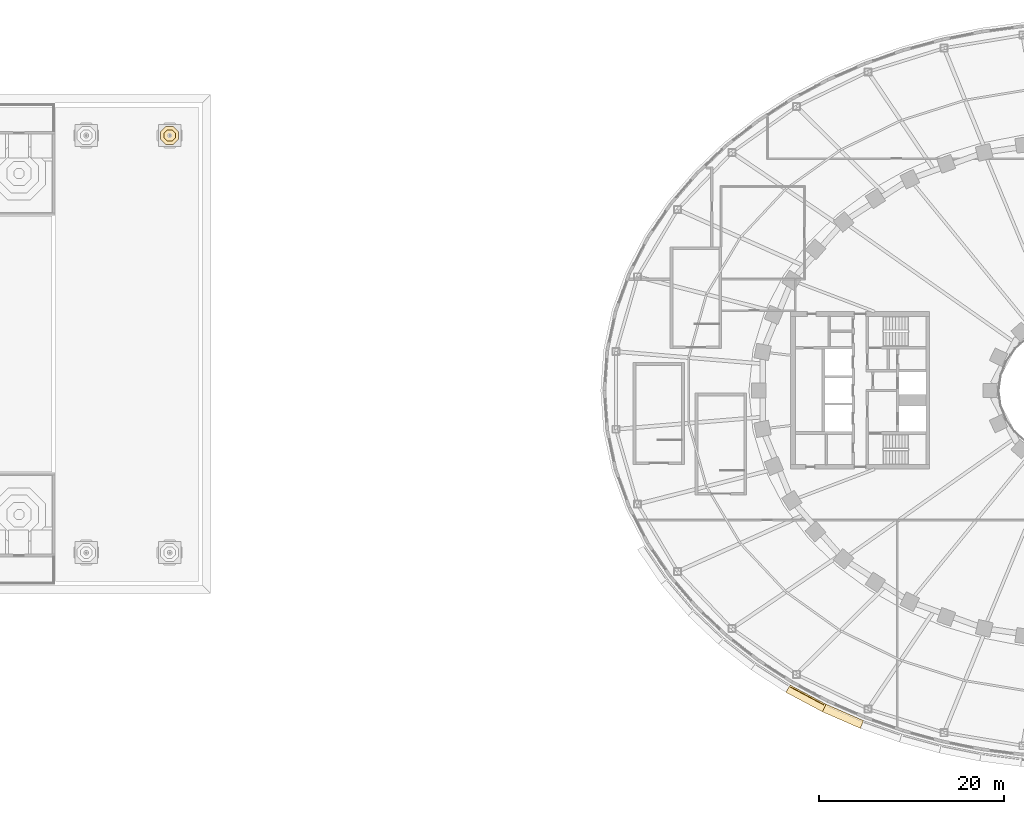
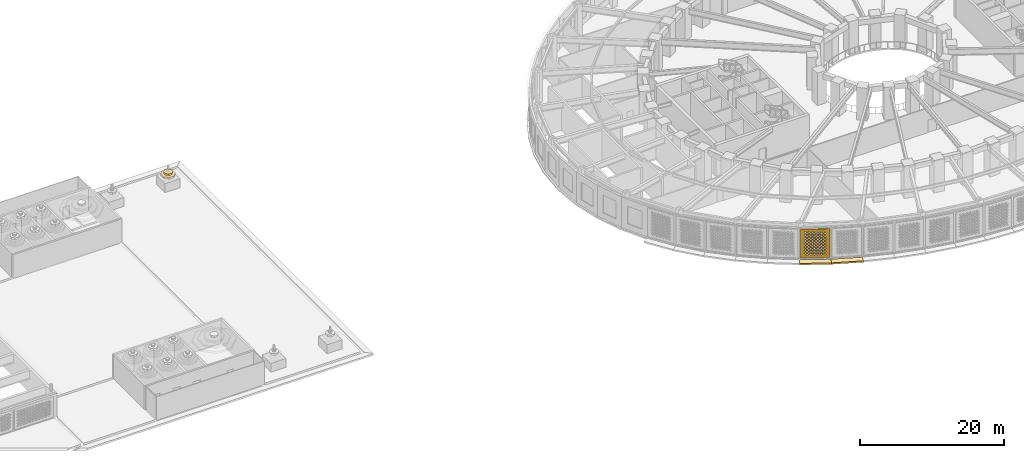
# One storey, part 40 of 63: 5 coverings.
"""IFC4 building model written with IfcOpenShell, lengths in metres."""

import ifcopenshell
import ifcopenshell.guid

model = None  # the IFC model being written
_history = None  # IfcOwnerHistory: only IFC2X3 demands one
_inside = {}  # id of a spatial element -> (the spatial element, [elements in it])
_under = {}  # id of a project, library or spatial element -> (it, [spatial elements below it])
_declared = {}  # id of a project -> (the project, [libraries it declares])
_typed = {}  # id of a type object -> (the type object, [elements of that type])
_made_of = {}  # id of a material, layer set ... -> (it, [elements and type objects made of it])


def new_model(schema):
    """Start an empty IFC model of exactly this schema.

    Asked for "IFC4X3", IfcOpenShell would pick the latest addendum, in which some entities
    have other attributes; the version numbers below select the first issue.
    IFC2X3 requires an IfcOwnerHistory on every rooted entity: one is made here for all.
    """
    global model, _history
    if schema == "IFC4X3":
        model = ifcopenshell.file(schema_version=(4, 3, 0, 0))
    else:
        model = ifcopenshell.file(schema=schema)
    _inside.clear()
    _under.clear()
    _declared.clear()
    _typed.clear()
    _made_of.clear()
    _history = None
    if model.schema == "IFC2X3":
        org = make("IfcOrganization", Name="unknown")
        user = make(
            "IfcPersonAndOrganization",
            ThePerson=make("IfcPerson", FamilyName="unknown"),
            TheOrganization=org,
        )
        app = make(
            "IfcApplication",
            ApplicationDeveloper=org,
            Version="unknown",
            ApplicationFullName="unknown",
            ApplicationIdentifier="unknown",
        )
        _history = make(
            "IfcOwnerHistory",
            OwningUser=user,
            OwningApplication=app,
            ChangeAction="ADDED",
            CreationDate=0,
        )
    return model


def make(cls, **values):
    """One entity of the class cls with the attributes given. An attribute that is None is left unset."""
    return model.create_entity(
        cls, **{name: value for name, value in values.items() if value is not None}
    )


def rooted(cls, **values):
    """An entity with a GlobalId (a new one), such as an element, a storey or a relation."""
    return make(cls, GlobalId=ifcopenshell.guid.new(), OwnerHistory=_history, **values)


def si_unit(unit_type, name, prefix=None):
    """IfcSIUnit, for example si_unit("LENGTHUNIT", "METRE", prefix="MILLI")."""
    return make("IfcSIUnit", UnitType=unit_type, Prefix=prefix, Name=name)


def assignment(units):
    """IfcUnitAssignment: the units of a project."""
    return None if units is None else make("IfcUnitAssignment", Units=units)


def point(xyz):
    """IfcCartesianPoint."""
    return None if xyz is None else make("IfcCartesianPoint", Coordinates=xyz)


def direction(xyz):
    """IfcDirection."""
    return None if xyz is None else make("IfcDirection", DirectionRatios=xyz)


def frame(location, z_axis=None, x_axis=None):
    """IfcAxis2Placement3D, a coordinate frame: its origin and axes. An axis left out is left unset."""
    return make(
        "IfcAxis2Placement3D",
        Location=point(location),
        Axis=direction(z_axis),
        RefDirection=direction(x_axis),
    )


def origin():
    """The frame at (0, 0, 0) with its axes left unset."""
    return frame((0.0, 0.0, 0.0))


def place(relative_to, where):
    """IfcLocalPlacement: puts the frame where relative to a parent placement (None: the world)."""
    return make(
        "IfcLocalPlacement", PlacementRelTo=relative_to, RelativePlacement=where
    )


def context(
    kind, dimensions, precision=None, world=None, true_north=None, identifier=None
):
    """IfcGeometricRepresentationContext, for example the 3D "Model" context."""
    return make(
        "IfcGeometricRepresentationContext",
        ContextIdentifier=identifier,
        ContextType=kind,
        CoordinateSpaceDimension=dimensions,
        Precision=precision,
        WorldCoordinateSystem=world,
        TrueNorth=true_north,
    )


def subcontext(parent, identifier, kind, view, scale=None):
    """IfcGeometricRepresentationSubContext, for example "Body" below "Model"."""
    return make(
        "IfcGeometricRepresentationSubContext",
        ContextIdentifier=identifier,
        ContextType=kind,
        ParentContext=parent,
        TargetScale=scale,
        TargetView=view,
    )


def project(units=None, contexts=None):
    """IfcProject with its units and contexts."""
    return rooted(
        "IfcProject",
        Name="project",
        RepresentationContexts=contexts,
        UnitsInContext=assignment(units),
    )


def spatial(cls, under=None, at=None, **own):
    """A site, building, storey or space (cls), placed at a placement, below another one or the project."""
    s = rooted(cls, ObjectPlacement=at, **own)
    if under is not None:
        _under.setdefault(under.id(), (under, []))[1].append(s)
    return s


def polyline(points):
    """IfcPolyline through the points."""
    return make("IfcPolyline", Points=[point(p) for p in points])


def outline(outer, holes=None, kind="AREA"):
    """IfcArbitraryClosedProfileDef: a profile drawn as a closed curve; with holes, ...WithVoids."""
    if holes is None:
        return make("IfcArbitraryClosedProfileDef", ProfileType=kind, OuterCurve=outer)
    return make(
        "IfcArbitraryProfileDefWithVoids",
        ProfileType=kind,
        OuterCurve=outer,
        InnerCurves=holes,
    )


def extrude(swept, where, along, depth):
    """IfcExtrudedAreaSolid: the profile swept, set in the frame where, extruded along a direction by depth."""
    return make(
        "IfcExtrudedAreaSolid",
        SweptArea=swept,
        Position=where,
        ExtrudedDirection=direction(along),
        Depth=depth,
    )


def shape(context_of_items, identifier, shape_type, items):
    """IfcShapeRepresentation: the items that make up one representation, for example the "Body"."""
    return make(
        "IfcShapeRepresentation",
        ContextOfItems=context_of_items,
        RepresentationIdentifier=identifier,
        RepresentationType=shape_type,
        Items=items,
    )


def material(Name=None, Category=None):
    """IfcMaterial."""
    return make("IfcMaterial", Name=Name, Category=Category)


def layer(
    of_material, thickness, ventilated=None, Name=None, Category=None, Priority=None
):
    """IfcMaterialLayer: one layer of a wall or slab, of a material (None: an air gap)."""
    return make(
        "IfcMaterialLayer",
        Material=of_material,
        LayerThickness=thickness,
        IsVentilated=ventilated,
        Name=Name,
        Category=Category,
        Priority=Priority,
    )


def layer_set(layers, Name=None):
    """IfcMaterialLayerSet."""
    return make("IfcMaterialLayerSet", MaterialLayers=layers, LayerSetName=Name)


def made_of(thing, what):
    """Note that an element or type object is made of a material, layer set ...; save() writes the relation."""
    if what is not None:
        _made_of.setdefault(what.id(), (what, []))[1].append(thing)
    return thing


def type_object(cls, material=None, **own):
    """A type object (cls), such as IfcWallType, which elements share."""
    return made_of(rooted(cls, **own), material)


def element(
    cls,
    number,
    at=None,
    inside=None,
    cuts=None,
    type_object=None,
    material=None,
    context=None,
    identifier="Body",
    shape_type=None,
    held_by="IfcProductDefinitionShape",
    body=None,
    shapes=None,
    **own,
):
    """One element of the class cls, such as IfcWall. Its Tag is "e" and its number.

    at: its placement. inside: the storey or other place that contains it. cuts: it is an
    opening in that element (IfcRelVoidsElement). A single representation is given by context,
    identifier, shape_type and body (its items); several are given by shapes. held_by: the class
    of the entity that holds the representations. save() writes the other relations.
    """
    e = rooted(cls, Tag="e%d" % number, ObjectPlacement=at, **own)
    if body is not None:
        shapes = [shape(context, identifier, shape_type, body)]
    if shapes is not None:
        e.Representation = make(held_by, Representations=shapes)
    if inside is not None:
        _inside.setdefault(inside.id(), (inside, []))[1].append(e)
    if cuts is not None:
        rooted(
            "IfcRelVoidsElement", RelatingBuildingElement=cuts, RelatedOpeningElement=e
        )
    if type_object is not None:
        _typed.setdefault(type_object.id(), (type_object, []))[1].append(e)
    return made_of(e, material)


def aggregate(whole, parts):
    """IfcRelAggregates: a whole, such as a stair, and the parts it consists of."""
    return rooted("IfcRelAggregates", RelatingObject=whole, RelatedObjects=parts)


def save(model, path):
    """Write the relations noted so far, then the file.

    IfcRelAggregates (storeys below a building ...), IfcRelContainedInSpatialStructure (elements
    in a storey), IfcRelDefinesByType, IfcRelAssociatesMaterial and IfcRelDeclares: one each for
    every whole, place, type object, material and project.
    """
    for whole, parts in _under.values():
        aggregate(whole, parts)
    for where, things in _inside.values():
        rooted(
            "IfcRelContainedInSpatialStructure",
            RelatedElements=things,
            RelatingStructure=where,
        )
    for kind, things in _typed.values():
        rooted("IfcRelDefinesByType", RelatedObjects=things, RelatingType=kind)
    for what, things in _made_of.values():
        rooted("IfcRelAssociatesMaterial", RelatedObjects=things, RelatingMaterial=what)
    for by, libraries in _declared.values():
        rooted("IfcRelDeclares", RelatingContext=by, RelatedDefinitions=libraries)
    model.write(path)


model = new_model("IFC4")

# Units and contexts
model_context = context("Model", 3, precision=1e-05, world=origin(), true_north=direction((0.0, 1.0)))
body_context = subcontext(model_context, "Body", "Model", "MODEL_VIEW")
ifc_project = project(units=[si_unit("LENGTHUNIT", "METRE"), si_unit("AREAUNIT", "SQUARE_METRE"), si_unit("VOLUMEUNIT", "CUBIC_METRE"), si_unit("PLANEANGLEUNIT", "RADIAN"), si_unit("MASSUNIT", "GRAM", prefix="KILO")], contexts=[model_context])

# Site, building, storey
site_placement = place(None, origin())
site = spatial("IfcSite", under=ifc_project, at=site_placement, CompositionType="ELEMENT")
building_placement = place(site_placement, origin())
building = spatial("IfcBuilding", under=site, at=building_placement, Name="Noorbagh Ring Tower", CompositionType="ELEMENT")
storey_placement = place(building_placement, frame((0.0, 0.0, 25.0)))
storey = spatial("IfcBuildingStorey", under=building, at=storey_placement, Name="L04", CompositionType="ELEMENT", Elevation=25.0)

# Coverings
ifc_material_1 = material(Name="Cream sandstone dome cladding", Category="masonry")
ifc_layer_1 = layer(ifc_material_1, 0.300048828125)
ifc_layer_set_1 = layer_set([ifc_layer_1], Name="Cream sandstone dome cladding")
covering_type_1 = type_object("IfcCoveringType", Name="STH-DOME", PredefinedType="ROOFING", material=ifc_layer_set_1)
covering_1_placement = place(storey_placement, frame((0.0, 0.0, 1.820068359375)))
element("IfcCovering", 1, at=covering_1_placement, inside=storey, type_object=covering_type_1, Name="Dome over the stair head", PredefinedType="ROOFING", context=body_context, shape_type="SweptSolid", body=[
    extrude(outline(polyline([(-97.522216796875, 27.905029296875), (-98.094970703125, 28.477783203125), (-98.905029296875, 28.477783203125), (-99.477783203125, 27.905029296875), (-99.477783203125, 27.094970703125), (-98.905029296875, 26.522216796875), (-98.094970703125, 26.522216796875), (-97.522216796875, 27.094970703125), (-97.522216796875, 27.905029296875)])), origin(), (0.0, 0.0, 1.0), 0.31982421875),
])
covering_2_placement = place(storey_placement, frame((0.0, 0.0, 2.139892578125)))
element("IfcCovering", 2, at=covering_2_placement, inside=storey, type_object=covering_type_1, Name="Dome over the stair head", PredefinedType="ROOFING", context=body_context, shape_type="SweptSolid", body=[
    extrude(outline(polyline([(-97.8837890625, 27.755126953125), (-98.244873046875, 28.1162109375), (-98.755126953125, 28.1162109375), (-99.1162109375, 27.755126953125), (-99.1162109375, 27.244873046875), (-98.755126953125, 26.8837890625), (-98.244873046875, 26.8837890625), (-97.8837890625, 27.244873046875), (-97.8837890625, 27.755126953125)])), origin(), (0.0, 0.0, 1.0), 0.320068359375),
])
ifc_material_2 = material(Name="Red sandstone eave", Category="masonry")
covering_type_2 = type_object("IfcCoveringType", Name="STY-CHHAJJA", PredefinedType="USERDEFINED", material=ifc_material_2)
covering_3_placement = place(storey_placement, frame((0.0, 0.0, -0.25)))
element("IfcCovering", 3, at=covering_3_placement, inside=storey, type_object=covering_type_2, Name="Chhajja eave", ObjectType="CHHAJJA", PredefinedType="USERDEFINED", context=body_context, shape_type="SweptSolid", body=[
    extrude(outline(polyline([(-31.5546875, -31.793701171875), (-27.67578125, -33.864013671875), (-28.068603515625, -34.674560546875), (-32.011474609375, -32.56982421875), (-31.5546875, -31.793701171875)])), origin(), (0.0, 0.0, 1.0), 0.25),
])
covering_4_placement = place(storey_placement, frame((0.0, 0.0, -0.25)))
element("IfcCovering", 4, at=covering_4_placement, inside=storey, type_object=covering_type_2, Name="Chhajja eave", ObjectType="CHHAJJA", PredefinedType="USERDEFINED", context=body_context, shape_type="SweptSolid", body=[
    extrude(outline(polyline([(-27.67578125, -33.864013671875), (-23.647216796875, -35.624755859375), (-23.976806640625, -36.462890625), (-28.068603515625, -34.674560546875), (-27.67578125, -33.864013671875)])), origin(), (0.0, 0.0, 1.0), 0.25),
])
ifc_material_3 = material(Name="Red sandstone jali", Category="masonry")
ifc_layer_2 = layer(ifc_material_3, 0.0400390625)
ifc_layer_set_2 = layer_set([ifc_layer_2], Name="Red sandstone jali")
covering_type_3 = type_object("IfcCoveringType", Name="STY-JALI", PredefinedType="USERDEFINED", material=ifc_layer_set_2)
covering_5_placement = place(storey_placement, frame((-31.51171875, -32.031982421875, 0.449951171875), z_axis=(-0.470869695201, -0.882202771556, 0.0), x_axis=(0.882202771556, -0.470869695201, 0.0)))
element("IfcCovering", 5, at=covering_5_placement, inside=storey, type_object=covering_type_3, Name="Jali screen", ObjectType="SCREEN", PredefinedType="USERDEFINED", context=body_context, shape_type="SweptSolid", body=[
    extrude(outline(polyline([(0.0, 0.0), (4.0966796875, 0.0), (4.0966796875, 4.85009765625), (0.0, 4.85009765625), (0.0, 0.0)]), holes=[polyline([(0.743408203125, 0.550048828125), (0.92333984375, 0.3701171875), (1.103271484375, 0.550048828125), (0.92333984375, 0.72998046875), (0.743408203125, 0.550048828125)]), polyline([(1.243408203125, 0.550048828125), (1.42333984375, 0.3701171875), (1.603271484375, 0.550048828125), (1.42333984375, 0.72998046875), (1.243408203125, 0.550048828125)]), polyline([(1.743408203125, 0.550048828125), (1.92333984375, 0.3701171875), (2.103271484375, 0.550048828125), (1.92333984375, 0.72998046875), (1.743408203125, 0.550048828125)]), polyline([(2.243408203125, 0.550048828125), (2.42333984375, 0.3701171875), (2.603271484375, 0.550048828125), (2.42333984375, 0.72998046875), (2.243408203125, 0.550048828125)]), polyline([(2.743408203125, 0.550048828125), (2.92333984375, 0.3701171875), (3.103271484375, 0.550048828125), (2.92333984375, 0.72998046875), (2.743408203125, 0.550048828125)]), polyline([(3.243408203125, 0.550048828125), (3.42333984375, 0.3701171875), (3.603271484375, 0.550048828125), (3.42333984375, 0.72998046875), (3.243408203125, 0.550048828125)]), polyline([(0.493408203125, 0.800048828125), (0.67333984375, 0.6201171875), (0.853271484375, 0.800048828125), (0.67333984375, 0.97998046875), (0.493408203125, 0.800048828125)]), polyline([(0.993408203125, 0.800048828125), (1.17333984375, 0.6201171875), (1.353271484375, 0.800048828125), (1.17333984375, 0.97998046875), (0.993408203125, 0.800048828125)]), polyline([(1.493408203125, 0.800048828125), (1.67333984375, 0.6201171875), (1.853271484375, 0.800048828125), (1.67333984375, 0.97998046875), (1.493408203125, 0.800048828125)]), polyline([(1.993408203125, 0.800048828125), (2.17333984375, 0.6201171875), (2.353271484375, 0.800048828125), (2.17333984375, 0.97998046875), (1.993408203125, 0.800048828125)]), polyline([(2.493408203125, 0.800048828125), (2.67333984375, 0.6201171875), (2.853271484375, 0.800048828125), (2.67333984375, 0.97998046875), (2.493408203125, 0.800048828125)]), polyline([(2.993408203125, 0.800048828125), (3.17333984375, 0.6201171875), (3.353271484375, 0.800048828125), (3.17333984375, 0.97998046875), (2.993408203125, 0.800048828125)]), polyline([(0.743408203125, 1.050048828125), (0.92333984375, 0.8701171875), (1.103271484375, 1.050048828125), (0.92333984375, 1.22998046875), (0.743408203125, 1.050048828125)]), polyline([(1.243408203125, 1.050048828125), (1.42333984375, 0.8701171875), (1.603271484375, 1.050048828125), (1.42333984375, 1.22998046875), (1.243408203125, 1.050048828125)]), polyline([(1.743408203125, 1.050048828125), (1.92333984375, 0.8701171875), (2.103271484375, 1.050048828125), (1.92333984375, 1.22998046875), (1.743408203125, 1.050048828125)]), polyline([(2.243408203125, 1.050048828125), (2.42333984375, 0.8701171875), (2.603271484375, 1.050048828125), (2.42333984375, 1.22998046875), (2.243408203125, 1.050048828125)]), polyline([(2.743408203125, 1.050048828125), (2.92333984375, 0.8701171875), (3.103271484375, 1.050048828125), (2.92333984375, 1.22998046875), (2.743408203125, 1.050048828125)]), polyline([(3.243408203125, 1.050048828125), (3.42333984375, 0.8701171875), (3.603271484375, 1.050048828125), (3.42333984375, 1.22998046875), (3.243408203125, 1.050048828125)]), polyline([(0.493408203125, 1.300048828125), (0.67333984375, 1.1201171875), (0.853271484375, 1.300048828125), (0.67333984375, 1.47998046875), (0.493408203125, 1.300048828125)]), polyline([(0.993408203125, 1.300048828125), (1.17333984375, 1.1201171875), (1.353271484375, 1.300048828125), (1.17333984375, 1.47998046875), (0.993408203125, 1.300048828125)]), polyline([(1.493408203125, 1.300048828125), (1.67333984375, 1.1201171875), (1.853271484375, 1.300048828125), (1.67333984375, 1.47998046875), (1.493408203125, 1.300048828125)]), polyline([(1.993408203125, 1.300048828125), (2.17333984375, 1.1201171875), (2.353271484375, 1.300048828125), (2.17333984375, 1.47998046875), (1.993408203125, 1.300048828125)]), polyline([(2.493408203125, 1.300048828125), (2.67333984375, 1.1201171875), (2.853271484375, 1.300048828125), (2.67333984375, 1.47998046875), (2.493408203125, 1.300048828125)]), polyline([(2.993408203125, 1.300048828125), (3.17333984375, 1.1201171875), (3.353271484375, 1.300048828125), (3.17333984375, 1.47998046875), (2.993408203125, 1.300048828125)]), polyline([(0.743408203125, 1.550048828125), (0.92333984375, 1.3701171875), (1.103271484375, 1.550048828125), (0.92333984375, 1.72998046875), (0.743408203125, 1.550048828125)]), polyline([(1.243408203125, 1.550048828125), (1.42333984375, 1.3701171875), (1.603271484375, 1.550048828125), (1.42333984375, 1.72998046875), (1.243408203125, 1.550048828125)]), polyline([(1.743408203125, 1.550048828125), (1.92333984375, 1.3701171875), (2.103271484375, 1.550048828125), (1.92333984375, 1.72998046875), (1.743408203125, 1.550048828125)]), polyline([(2.243408203125, 1.550048828125), (2.42333984375, 1.3701171875), (2.603271484375, 1.550048828125), (2.42333984375, 1.72998046875), (2.243408203125, 1.550048828125)]), polyline([(2.743408203125, 1.550048828125), (2.92333984375, 1.3701171875), (3.103271484375, 1.550048828125), (2.92333984375, 1.72998046875), (2.743408203125, 1.550048828125)]), polyline([(3.243408203125, 1.550048828125), (3.42333984375, 1.3701171875), (3.603271484375, 1.550048828125), (3.42333984375, 1.72998046875), (3.243408203125, 1.550048828125)]), polyline([(0.493408203125, 1.800048828125), (0.67333984375, 1.6201171875), (0.853271484375, 1.800048828125), (0.67333984375, 1.97998046875), (0.493408203125, 1.800048828125)]), polyline([(0.993408203125, 1.800048828125), (1.17333984375, 1.6201171875), (1.353271484375, 1.800048828125), (1.17333984375, 1.97998046875), (0.993408203125, 1.800048828125)]), polyline([(1.493408203125, 1.800048828125), (1.67333984375, 1.6201171875), (1.853271484375, 1.800048828125), (1.67333984375, 1.97998046875), (1.493408203125, 1.800048828125)]), polyline([(1.993408203125, 1.800048828125), (2.17333984375, 1.6201171875), (2.353271484375, 1.800048828125), (2.17333984375, 1.97998046875), (1.993408203125, 1.800048828125)]), polyline([(2.493408203125, 1.800048828125), (2.67333984375, 1.6201171875), (2.853271484375, 1.800048828125), (2.67333984375, 1.97998046875), (2.493408203125, 1.800048828125)]), polyline([(2.993408203125, 1.800048828125), (3.17333984375, 1.6201171875), (3.353271484375, 1.800048828125), (3.17333984375, 1.97998046875), (2.993408203125, 1.800048828125)]), polyline([(0.743408203125, 2.050048828125), (0.92333984375, 1.8701171875), (1.103271484375, 2.050048828125), (0.92333984375, 2.22998046875), (0.743408203125, 2.050048828125)]), polyline([(1.243408203125, 2.050048828125), (1.42333984375, 1.8701171875), (1.603271484375, 2.050048828125), (1.42333984375, 2.22998046875), (1.243408203125, 2.050048828125)]), polyline([(1.743408203125, 2.050048828125), (1.92333984375, 1.8701171875), (2.103271484375, 2.050048828125), (1.92333984375, 2.22998046875), (1.743408203125, 2.050048828125)]), polyline([(2.243408203125, 2.050048828125), (2.42333984375, 1.8701171875), (2.603271484375, 2.050048828125), (2.42333984375, 2.22998046875), (2.243408203125, 2.050048828125)]), polyline([(2.743408203125, 2.050048828125), (2.92333984375, 1.8701171875), (3.103271484375, 2.050048828125), (2.92333984375, 2.22998046875), (2.743408203125, 2.050048828125)]), polyline([(3.243408203125, 2.050048828125), (3.42333984375, 1.8701171875), (3.603271484375, 2.050048828125), (3.42333984375, 2.22998046875), (3.243408203125, 2.050048828125)]), polyline([(0.493408203125, 2.300048828125), (0.67333984375, 2.1201171875), (0.853271484375, 2.300048828125), (0.67333984375, 2.47998046875), (0.493408203125, 2.300048828125)]), polyline([(0.993408203125, 2.300048828125), (1.17333984375, 2.1201171875), (1.353271484375, 2.300048828125), (1.17333984375, 2.47998046875), (0.993408203125, 2.300048828125)]), polyline([(1.493408203125, 2.300048828125), (1.67333984375, 2.1201171875), (1.853271484375, 2.300048828125), (1.67333984375, 2.47998046875), (1.493408203125, 2.300048828125)]), polyline([(1.993408203125, 2.300048828125), (2.17333984375, 2.1201171875), (2.353271484375, 2.300048828125), (2.17333984375, 2.47998046875), (1.993408203125, 2.300048828125)]), polyline([(2.493408203125, 2.300048828125), (2.67333984375, 2.1201171875), (2.853271484375, 2.300048828125), (2.67333984375, 2.47998046875), (2.493408203125, 2.300048828125)]), polyline([(2.993408203125, 2.300048828125), (3.17333984375, 2.1201171875), (3.353271484375, 2.300048828125), (3.17333984375, 2.47998046875), (2.993408203125, 2.300048828125)]), polyline([(0.743408203125, 2.550048828125), (0.92333984375, 2.3701171875), (1.103271484375, 2.550048828125), (0.92333984375, 2.72998046875), (0.743408203125, 2.550048828125)]), polyline([(1.243408203125, 2.550048828125), (1.42333984375, 2.3701171875), (1.603271484375, 2.550048828125), (1.42333984375, 2.72998046875), (1.243408203125, 2.550048828125)]), polyline([(1.743408203125, 2.550048828125), (1.92333984375, 2.3701171875), (2.103271484375, 2.550048828125), (1.92333984375, 2.72998046875), (1.743408203125, 2.550048828125)]), polyline([(2.243408203125, 2.550048828125), (2.42333984375, 2.3701171875), (2.603271484375, 2.550048828125), (2.42333984375, 2.72998046875), (2.243408203125, 2.550048828125)]), polyline([(2.743408203125, 2.550048828125), (2.92333984375, 2.3701171875), (3.103271484375, 2.550048828125), (2.92333984375, 2.72998046875), (2.743408203125, 2.550048828125)]), polyline([(3.243408203125, 2.550048828125), (3.42333984375, 2.3701171875), (3.603271484375, 2.550048828125), (3.42333984375, 2.72998046875), (3.243408203125, 2.550048828125)]), polyline([(0.493408203125, 2.800048828125), (0.67333984375, 2.6201171875), (0.853271484375, 2.800048828125), (0.67333984375, 2.97998046875), (0.493408203125, 2.800048828125)]), polyline([(0.993408203125, 2.800048828125), (1.17333984375, 2.6201171875), (1.353271484375, 2.800048828125), (1.17333984375, 2.97998046875), (0.993408203125, 2.800048828125)]), polyline([(1.493408203125, 2.800048828125), (1.67333984375, 2.6201171875), (1.853271484375, 2.800048828125), (1.67333984375, 2.97998046875), (1.493408203125, 2.800048828125)]), polyline([(1.993408203125, 2.800048828125), (2.17333984375, 2.6201171875), (2.353271484375, 2.800048828125), (2.17333984375, 2.97998046875), (1.993408203125, 2.800048828125)]), polyline([(2.493408203125, 2.800048828125), (2.67333984375, 2.6201171875), (2.853271484375, 2.800048828125), (2.67333984375, 2.97998046875), (2.493408203125, 2.800048828125)]), polyline([(2.993408203125, 2.800048828125), (3.17333984375, 2.6201171875), (3.353271484375, 2.800048828125), (3.17333984375, 2.97998046875), (2.993408203125, 2.800048828125)]), polyline([(0.743408203125, 3.050048828125), (0.92333984375, 2.8701171875), (1.103271484375, 3.050048828125), (0.92333984375, 3.22998046875), (0.743408203125, 3.050048828125)]), polyline([(1.243408203125, 3.050048828125), (1.42333984375, 2.8701171875), (1.603271484375, 3.050048828125), (1.42333984375, 3.22998046875), (1.243408203125, 3.050048828125)]), polyline([(1.743408203125, 3.050048828125), (1.92333984375, 2.8701171875), (2.103271484375, 3.050048828125), (1.92333984375, 3.22998046875), (1.743408203125, 3.050048828125)]), polyline([(2.243408203125, 3.050048828125), (2.42333984375, 2.8701171875), (2.603271484375, 3.050048828125), (2.42333984375, 3.22998046875), (2.243408203125, 3.050048828125)]), polyline([(2.743408203125, 3.050048828125), (2.92333984375, 2.8701171875), (3.103271484375, 3.050048828125), (2.92333984375, 3.22998046875), (2.743408203125, 3.050048828125)]), polyline([(3.243408203125, 3.050048828125), (3.42333984375, 2.8701171875), (3.603271484375, 3.050048828125), (3.42333984375, 3.22998046875), (3.243408203125, 3.050048828125)]), polyline([(0.493408203125, 3.300048828125), (0.67333984375, 3.1201171875), (0.853271484375, 3.300048828125), (0.67333984375, 3.47998046875), (0.493408203125, 3.300048828125)]), polyline([(0.993408203125, 3.300048828125), (1.17333984375, 3.1201171875), (1.353271484375, 3.300048828125), (1.17333984375, 3.47998046875), (0.993408203125, 3.300048828125)]), polyline([(1.493408203125, 3.300048828125), (1.67333984375, 3.1201171875), (1.853271484375, 3.300048828125), (1.67333984375, 3.47998046875), (1.493408203125, 3.300048828125)]), polyline([(1.993408203125, 3.300048828125), (2.17333984375, 3.1201171875), (2.353271484375, 3.300048828125), (2.17333984375, 3.47998046875), (1.993408203125, 3.300048828125)]), polyline([(2.493408203125, 3.300048828125), (2.67333984375, 3.1201171875), (2.853271484375, 3.300048828125), (2.67333984375, 3.47998046875), (2.493408203125, 3.300048828125)]), polyline([(2.993408203125, 3.300048828125), (3.17333984375, 3.1201171875), (3.353271484375, 3.300048828125), (3.17333984375, 3.47998046875), (2.993408203125, 3.300048828125)]), polyline([(0.743408203125, 3.550048828125), (0.92333984375, 3.3701171875), (1.103271484375, 3.550048828125), (0.92333984375, 3.72998046875), (0.743408203125, 3.550048828125)]), polyline([(1.243408203125, 3.550048828125), (1.42333984375, 3.3701171875), (1.603271484375, 3.550048828125), (1.42333984375, 3.72998046875), (1.243408203125, 3.550048828125)]), polyline([(1.743408203125, 3.550048828125), (1.92333984375, 3.3701171875), (2.103271484375, 3.550048828125), (1.92333984375, 3.72998046875), (1.743408203125, 3.550048828125)]), polyline([(2.243408203125, 3.550048828125), (2.42333984375, 3.3701171875), (2.603271484375, 3.550048828125), (2.42333984375, 3.72998046875), (2.243408203125, 3.550048828125)]), polyline([(2.743408203125, 3.550048828125), (2.92333984375, 3.3701171875), (3.103271484375, 3.550048828125), (2.92333984375, 3.72998046875), (2.743408203125, 3.550048828125)]), polyline([(3.243408203125, 3.550048828125), (3.42333984375, 3.3701171875), (3.603271484375, 3.550048828125), (3.42333984375, 3.72998046875), (3.243408203125, 3.550048828125)]), polyline([(0.493408203125, 3.800048828125), (0.67333984375, 3.6201171875), (0.853271484375, 3.800048828125), (0.67333984375, 3.97998046875), (0.493408203125, 3.800048828125)]), polyline([(0.993408203125, 3.800048828125), (1.17333984375, 3.6201171875), (1.353271484375, 3.800048828125), (1.17333984375, 3.97998046875), (0.993408203125, 3.800048828125)]), polyline([(1.493408203125, 3.800048828125), (1.67333984375, 3.6201171875), (1.853271484375, 3.800048828125), (1.67333984375, 3.97998046875), (1.493408203125, 3.800048828125)]), polyline([(1.993408203125, 3.800048828125), (2.17333984375, 3.6201171875), (2.353271484375, 3.800048828125), (2.17333984375, 3.97998046875), (1.993408203125, 3.800048828125)]), polyline([(2.493408203125, 3.800048828125), (2.67333984375, 3.6201171875), (2.853271484375, 3.800048828125), (2.67333984375, 3.97998046875), (2.493408203125, 3.800048828125)]), polyline([(2.993408203125, 3.800048828125), (3.17333984375, 3.6201171875), (3.353271484375, 3.800048828125), (3.17333984375, 3.97998046875), (2.993408203125, 3.800048828125)]), polyline([(0.743408203125, 4.050048828125), (0.92333984375, 3.8701171875), (1.103271484375, 4.050048828125), (0.92333984375, 4.22998046875), (0.743408203125, 4.050048828125)]), polyline([(1.243408203125, 4.050048828125), (1.42333984375, 3.8701171875), (1.603271484375, 4.050048828125), (1.42333984375, 4.22998046875), (1.243408203125, 4.050048828125)]), polyline([(1.743408203125, 4.050048828125), (1.92333984375, 3.8701171875), (2.103271484375, 4.050048828125), (1.92333984375, 4.22998046875), (1.743408203125, 4.050048828125)]), polyline([(2.243408203125, 4.050048828125), (2.42333984375, 3.8701171875), (2.603271484375, 4.050048828125), (2.42333984375, 4.22998046875), (2.243408203125, 4.050048828125)]), polyline([(2.743408203125, 4.050048828125), (2.92333984375, 3.8701171875), (3.103271484375, 4.050048828125), (2.92333984375, 4.22998046875), (2.743408203125, 4.050048828125)]), polyline([(3.243408203125, 4.050048828125), (3.42333984375, 3.8701171875), (3.603271484375, 4.050048828125), (3.42333984375, 4.22998046875), (3.243408203125, 4.050048828125)]), polyline([(0.493408203125, 4.300048828125), (0.67333984375, 4.1201171875), (0.853271484375, 4.300048828125), (0.67333984375, 4.47998046875), (0.493408203125, 4.300048828125)]), polyline([(0.993408203125, 4.300048828125), (1.17333984375, 4.1201171875), (1.353271484375, 4.300048828125), (1.17333984375, 4.47998046875), (0.993408203125, 4.300048828125)]), polyline([(1.493408203125, 4.300048828125), (1.67333984375, 4.1201171875), (1.853271484375, 4.300048828125), (1.67333984375, 4.47998046875), (1.493408203125, 4.300048828125)]), polyline([(1.993408203125, 4.300048828125), (2.17333984375, 4.1201171875), (2.353271484375, 4.300048828125), (2.17333984375, 4.47998046875), (1.993408203125, 4.300048828125)]), polyline([(2.493408203125, 4.300048828125), (2.67333984375, 4.1201171875), (2.853271484375, 4.300048828125), (2.67333984375, 4.47998046875), (2.493408203125, 4.300048828125)]), polyline([(2.993408203125, 4.300048828125), (3.17333984375, 4.1201171875), (3.353271484375, 4.300048828125), (3.17333984375, 4.47998046875), (2.993408203125, 4.300048828125)])]), origin(), (0.0, 0.0, -1.0), 0.0400390625),
])

save(model, "model.ifc")
